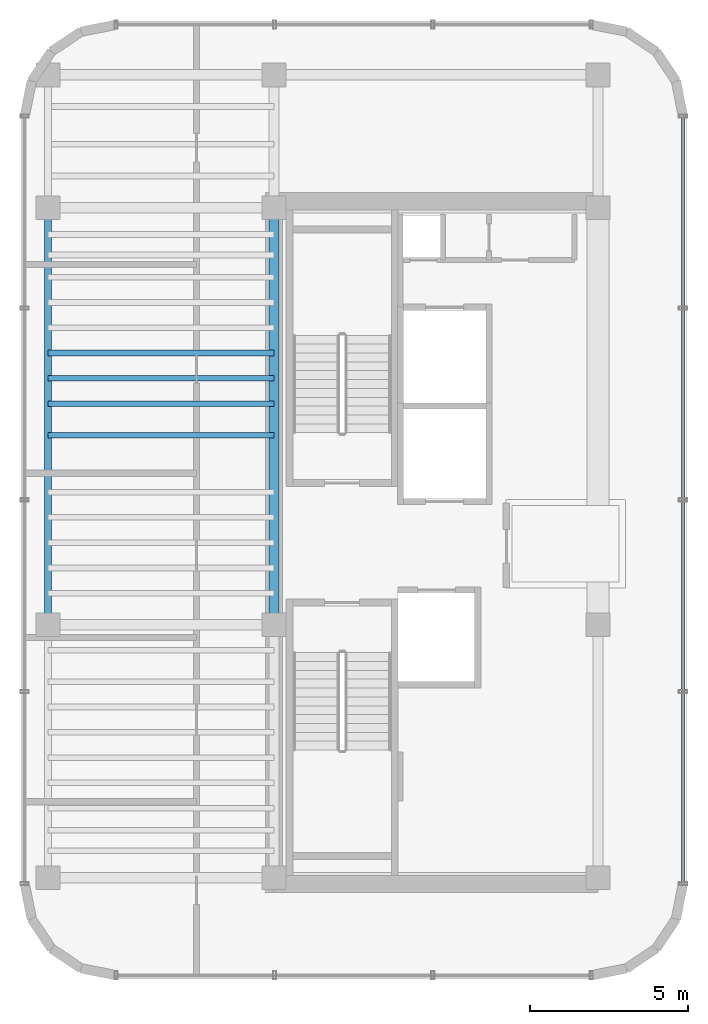
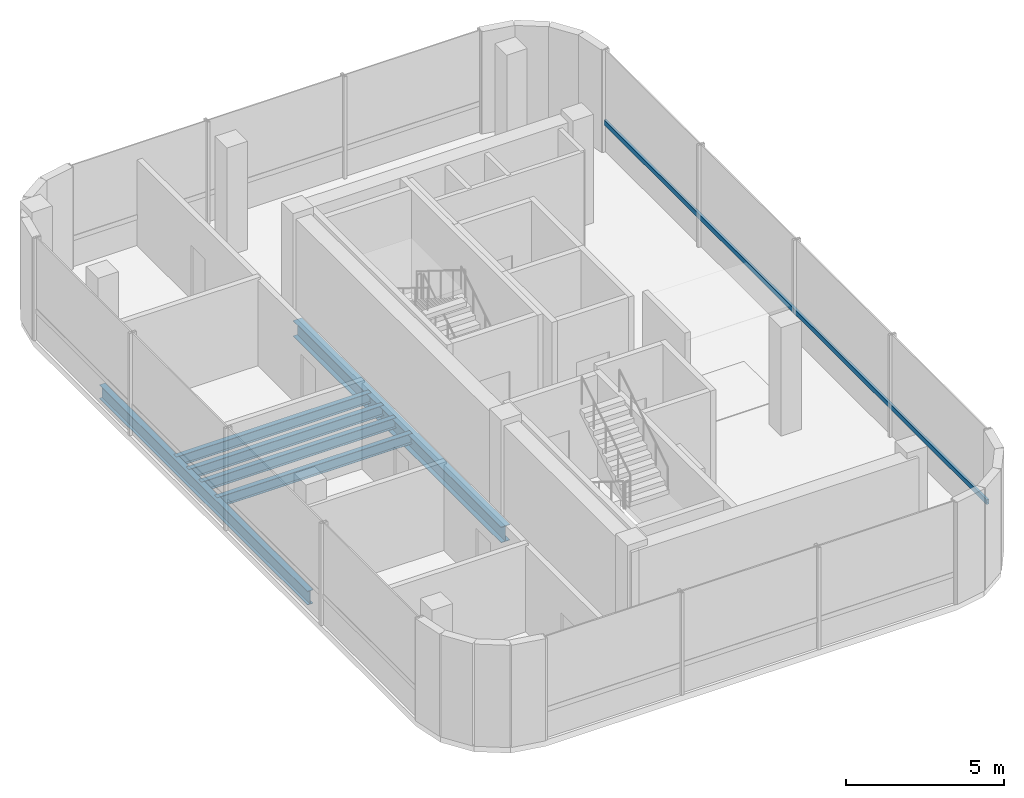
# One storey, part 6 of 11: 6 beams, 1 member, 1 element without a shape of its own.
"""IFC4 building model written with IfcOpenShell, lengths in metres."""

from ifc_helpers import new_model, si_unit, direction, frame, origin, origin_2d, place, context, subcontext, project, spatial, hollow_rectangle, i_section, extrude, source, transform, mapped, material, material_profile, profile_set, type_object, element, aggregate, save


model = new_model("IFC4")

# Units and contexts
model_context = context("Model", 3, precision=1e-05, world=origin(), true_north=direction((0.0, 1.0)))
body_context = subcontext(model_context, "Body", "Model", "MODEL_VIEW")
ifc_project = project(units=[si_unit("LENGTHUNIT", "METRE"), si_unit("AREAUNIT", "SQUARE_METRE"), si_unit("VOLUMEUNIT", "CUBIC_METRE"), si_unit("PLANEANGLEUNIT", "RADIAN"), si_unit("MASSUNIT", "GRAM", prefix="KILO")], contexts=[model_context])

# Site, building, storey
site_placement = place(None, origin())
site = spatial("IfcSite", under=ifc_project, at=site_placement, CompositionType="ELEMENT")
building_placement = place(site_placement, origin())
building = spatial("IfcBuilding", under=site, at=building_placement, Name="Valdorenza Pilgrim Sanctuary Tower", CompositionType="ELEMENT")
storey_placement = place(building_placement, frame((0.0, 0.0, 299.39990234375)))
storey = spatial("IfcBuildingStorey", under=building, at=storey_placement, Name="L78", CompositionType="ELEMENT", Elevation=299.39990234375)

# Beams
ifc_material_1 = material(Name="Steel ASTM A992 Grade 50", Category="steel")
ifc_material_profile_1 = material_profile(ifc_material_1, i_section(OverallWidth=0.323974609375, OverallDepth=0.611083984375, WebThickness=0.0126953125, FlangeThickness=0.01904296875, at=origin_2d()), Name="W24X104")
ifc_profile_set_1 = profile_set([ifc_material_profile_1], Name="Steel ASTM A992 Grade 50")
beam_type_1 = type_object("IfcBeamType", Name="STR-BM-GRD-W24B", PredefinedType="BEAM", material=ifc_profile_set_1)
shared_shape_1 = source(origin(), body_context, "Body", "SweptSolid", [
    extrude(i_section(OverallWidth=0.323974609375, OverallDepth=0.611083984375, WebThickness=0.0126953125, FlangeThickness=0.01904296875, at=origin_2d()), origin(), (0.0, 0.0, 1.0), 13.2001953125),
])
beam_1_placement = place(storey_placement, frame((-22.64990234375, -2.60009765625, -0.54541015625), z_axis=(0.0, 1.0, 0.0), x_axis=(-1.0, 0.0, 0.0)))
element("IfcBeam", 1, at=beam_1_placement, inside=storey, type_object=beam_type_1, Name="L78 Core Tie Girder CA-W-M0N1", PredefinedType="BEAM", context=body_context, shape_type="MappedRepresentation", body=[
    mapped(shared_shape_1, transform((0.0, 0.0, 0.0), x_axis=(1.0, 0.0, 0.0), y_axis=(0.0, 1.0, 0.0), z_axis=(0.0, 0.0, 1.0), scale=1.0)),
])
ifc_material_profile_2 = material_profile(ifc_material_1, i_section(OverallWidth=0.2109375, OverallDepth=0.5390625, WebThickness=0.01171875, FlangeThickness=0.018798828125, at=origin_2d()), Name="W21X73")
ifc_profile_set_2 = profile_set([ifc_material_profile_2], Name="Steel ASTM A992 Grade 50")
beam_type_2 = type_object("IfcBeamType", Name="STR-BM-SPN-W21B", PredefinedType="SPANDREL", material=ifc_profile_set_2)
shared_shape_2 = source(origin(), body_context, "Body", "SweptSolid", [
    extrude(i_section(OverallWidth=0.2109375, OverallDepth=0.5390625, WebThickness=0.01171875, FlangeThickness=0.018798828125, at=origin_2d()), origin(), (0.0, 0.0, 1.0), 13.2001953125),
])
beam_2_placement = place(storey_placement, frame((-29.800048828125, -2.60009765625, -0.509521484375), z_axis=(0.0, 1.0, 0.0), x_axis=(-1.0, 0.0, 0.0)))
element("IfcBeam", 2, at=beam_2_placement, inside=storey, type_object=beam_type_2, Name="L78 Spandrel Beam WA-W-M0N1", PredefinedType="SPANDREL", context=body_context, shape_type="MappedRepresentation", body=[
    mapped(shared_shape_2, transform((0.0, 0.0, 0.0), x_axis=(1.0, 0.0, 0.0), y_axis=(0.0, 1.0, 0.0), z_axis=(0.0, 0.0, 1.0), scale=1.0)),
])
ifc_material_profile_3 = material_profile(ifc_material_1, i_section(OverallWidth=0.177978515625, OverallDepth=0.406005859375, WebThickness=0.0078125, FlangeThickness=0.0126953125, at=origin_2d()), Name="W16X40")
ifc_profile_set_3 = profile_set([ifc_material_profile_3], Name="Steel ASTM A992 Grade 50")
beam_type_3 = type_object("IfcBeamType", Name="STR-BM-JST-W16", PredefinedType="JOIST", material=ifc_profile_set_3)
shared_shape_3 = source(origin(), body_context, "Body", "SweptSolid", [
    extrude(i_section(OverallWidth=0.177978515625, OverallDepth=0.406005859375, WebThickness=0.0078125, FlangeThickness=0.0126953125, at=origin_2d()), origin(), (0.0, 0.0, 1.0), 7.150146484375),
])
for number, where, z_axis, x_axis, name in (
    (3, (-29.800048828125, 3.39990234375, -0.44287109375), (1.0, 0.0, 0.0), (0.0, 1.0, 0.0), "L78 Composite Floor Joist JST-WA-15"),
    (4, (-29.800048828125, 4.39990234375, -0.44287109375), (1.0, 0.0, 0.0), (0.0, 1.0, 0.0), "L78 Composite Floor Joist JST-WA-16"),
    (5, (-29.800048828125, 5.199951171875, -0.44287109375), (1.0, 0.0, 0.0), (0.0, 1.0, 0.0), "L78 Composite Floor Joist JST-WA-17"),
    (6, (-29.800048828125, 6.0, -0.44287109375), (1.0, 0.0, 0.0), (0.0, 1.0, 0.0), "L78 Composite Floor Joist JST-WA-18"),
):
    element("IfcBeam", number, at=place(storey_placement, frame(where, z_axis=z_axis, x_axis=x_axis)), inside=storey, type_object=beam_type_3, Name=name, PredefinedType="JOIST", context=body_context, shape_type="MappedRepresentation", body=[
        mapped(shared_shape_3, transform((0.0, 0.0, 0.0), x_axis=(1.0, 0.0, 0.0), y_axis=(0.0, 1.0, 0.0), z_axis=(0.0, 0.0, 1.0), scale=1.0)),
    ])

# Curtain wall, member
ifc_material_2 = material(Name="Curtain-wall IGU glazing", Category="glass")
curtain_wall_type = type_object("IfcCurtainWallType", Name="CW-SYS-06", PredefinedType="NOTDEFINED", material=ifc_material_2)
curtain_wall_placement = place(storey_placement, origin())
curtain_wall = element("IfcCurtainWall", 7, at=curtain_wall_placement, inside=storey, type_object=curtain_wall_type, Name="L78 Curtain Wall CW-L78-1-11", PredefinedType="NOTDEFINED")
ifc_material_3 = material(Name="Anodised aluminium AW-6060", Category="aluminium")
ifc_material_profile_4 = material_profile(ifc_material_3, hollow_rectangle(XDim=0.090087890625, YDim=0.18994140625, WallThickness=0.00439453125, at=origin_2d()), Name="ALU-T 190x90x4.5")
ifc_profile_set_4 = profile_set([ifc_material_profile_4], Name="Anodised aluminium AW-6060")
member_type = type_object("IfcMemberType", Name="CW-TRN-06", PredefinedType="USERDEFINED", material=ifc_profile_set_4)
shared_shape_4 = source(origin(), body_context, "Body", "SweptSolid", [
    extrude(hollow_rectangle(XDim=0.090087890625, YDim=0.18994140625, WallThickness=0.00439453125, at=origin_2d()), origin(), (0.0, 0.0, 1.0), 24.278564453125),
])
member_placement = place(storey_placement, frame((-9.7099609375, 13.4892578125, 1.1201171875), z_axis=(0.0, -1.0, 0.0), x_axis=(1.0, 0.0, 0.0)))
member = element("IfcMember", 8, at=member_placement, type_object=member_type, Name="CW-L78-1-11 Transom 1", ObjectType="TRANSOM", PredefinedType="USERDEFINED", context=body_context, shape_type="MappedRepresentation", body=[
    mapped(shared_shape_4, transform((0.0, 0.0, 0.0), x_axis=(1.0, 0.0, 0.0), y_axis=(0.0, 1.0, 0.0), z_axis=(0.0, 0.0, 1.0), scale=1.0)),
])
aggregate(curtain_wall, [member])

save(model, "model.ifc")
